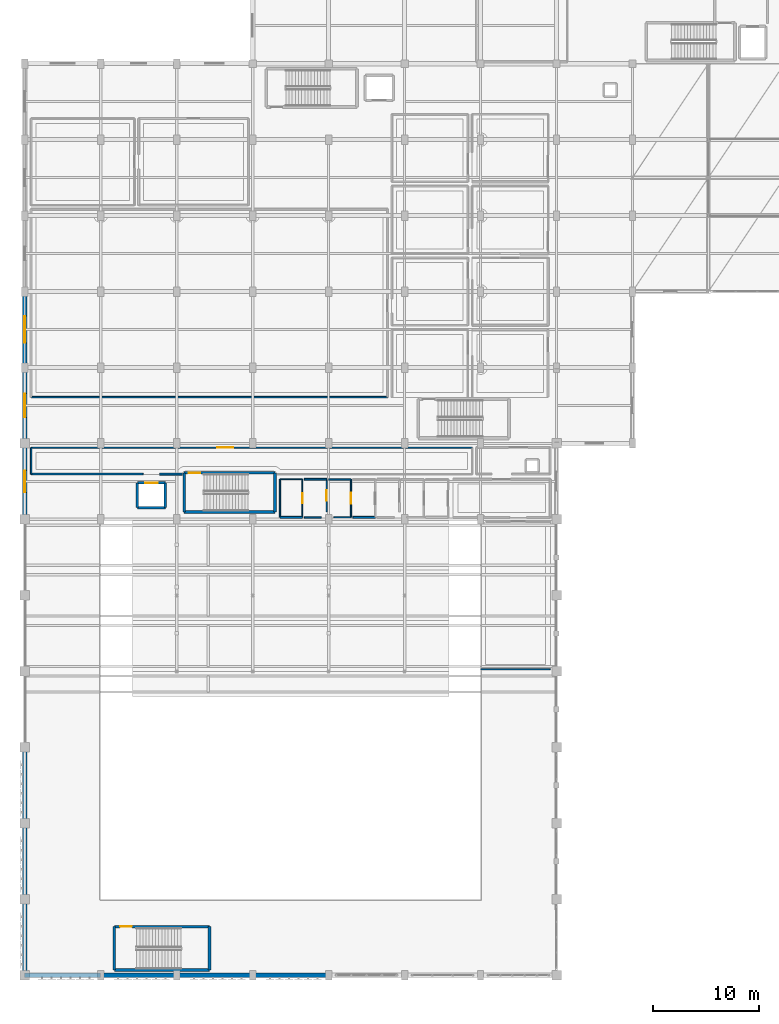
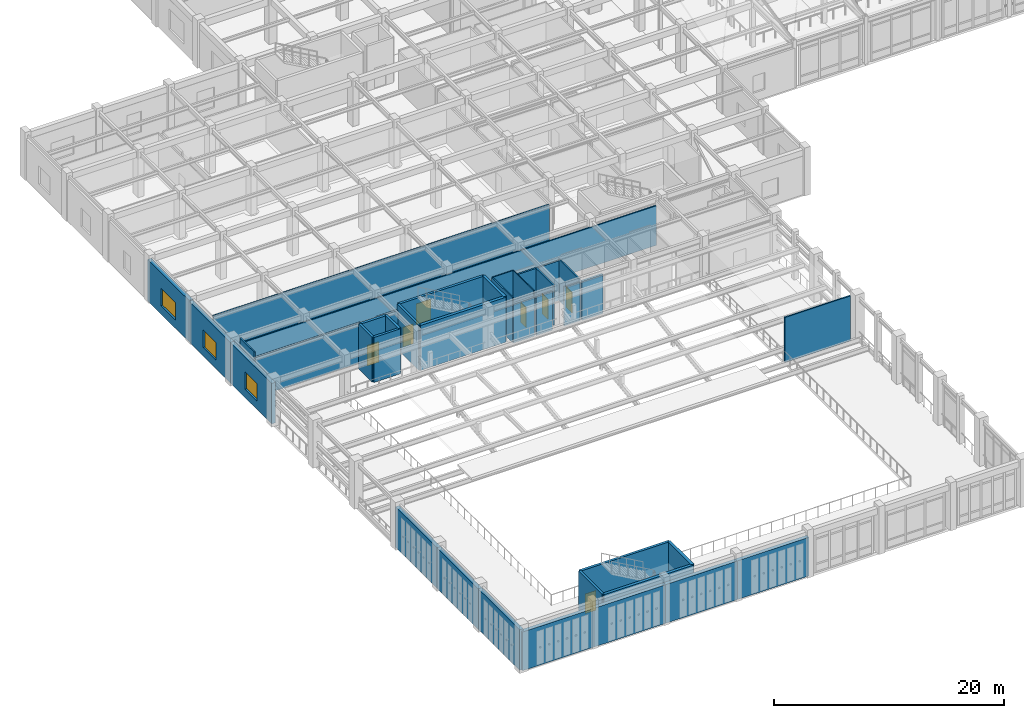
# One storey, part 86 of 117: 39 walls, 7 doors, 3 windows, 10 openings.
"""IFC4 building model written with IfcOpenShell, lengths in metres."""

from ifc_helpers import new_model, si_unit, direction, frame, frame_2d, origin, place, context, subcontext, project, spatial, rectangle, extrude, material, layer, layer_set, type_object, element, fill, save


model = new_model("IFC4")

# Units and contexts
model_context = context("Model", 3, precision=1e-05, world=origin(), true_north=direction((0.0, 1.0)))
body_context = subcontext(model_context, "Body", "Model", "MODEL_VIEW")
ifc_project = project(units=[si_unit("LENGTHUNIT", "METRE"), si_unit("AREAUNIT", "SQUARE_METRE"), si_unit("VOLUMEUNIT", "CUBIC_METRE"), si_unit("PLANEANGLEUNIT", "RADIAN"), si_unit("MASSUNIT", "GRAM", prefix="KILO")], contexts=[model_context])

# Site, building, storey
site_placement = place(None, origin())
site = spatial("IfcSite", under=ifc_project, at=site_placement, CompositionType="ELEMENT")
building_placement = place(site_placement, origin())
building = spatial("IfcBuilding", under=site, at=building_placement, Name="Carrowvane Square Congress Hotel", CompositionType="ELEMENT")
storey_placement = place(building_placement, frame((0.0, 0.0, 5.39990234375)))
storey = spatial("IfcBuildingStorey", under=building, at=storey_placement, Name="L01", CompositionType="ELEMENT", Elevation=5.39990234375)

# Walls
ifc_material_1 = material(Name="Portland limestone cladding", Category="masonry")
ifc_layer_1 = layer(ifc_material_1, 0.3798828125)
ifc_layer_set_1 = layer_set([ifc_layer_1], Name="Portland limestone cladding")
wall_type_1 = type_object("IfcWallType", Name="WL-EXT-LS380", PredefinedType="STANDARD", material=ifc_layer_set_1)
wall_1_placement = place(storey_placement, frame((11.60009765625, 5.39990234375, 0.0), z_axis=(0.0, 0.0, 1.0), x_axis=(0.0, 1.0, 0.0)))
element("IfcWall", 1, at=wall_1_placement, inside=storey, type_object=wall_type_1, Name="L01 exterior facade wall 201", PredefinedType="STANDARD", context=body_context, shape_type="SweptSolid", body=[
    extrude(rectangle(XDim=7.2001953125, YDim=0.3798828125, at=frame_2d((3.60009765625, 0.0))), origin(), (0.0, 0.0, 1.0), 4.30517578125),
])
for number, where, z_axis, x_axis, name in (
    (2, (11.60009765625, 12.60009765625, 0.0), (0.0, 0.0, 1.0), (0.0, 1.0, 0.0), "L01 exterior facade wall 202"),
    (3, (11.60009765625, 19.800048828125, 0.0), (0.0, 0.0, 1.0), (0.0, 1.0, 0.0), "L01 exterior facade wall 203"),
):
    element("IfcWall", number, at=place(storey_placement, frame(where, z_axis=z_axis, x_axis=x_axis)), inside=storey, type_object=wall_type_1, Name=name, PredefinedType="STANDARD", context=body_context, shape_type="SweptSolid", body=[
        extrude(rectangle(XDim=7.199951171875, YDim=0.3798828125, at=frame_2d((3.60009765625, 0.0))), origin(), (0.0, 0.0, 1.0), 4.30517578125),
    ])

# Wall, opening, window
wall_2_placement = place(storey_placement, frame((11.60009765625, 48.60009765625, 0.0), z_axis=(0.0, 0.0, 1.0), x_axis=(0.0, 1.0, 0.0)))
wall_2 = element("IfcWall", 4, at=wall_2_placement, inside=storey, type_object=wall_type_1, Name="L01 exterior facade wall 204", PredefinedType="STANDARD", context=body_context, shape_type="SweptSolid", body=[
    extrude(rectangle(XDim=7.199951171875, YDim=0.3798828125, at=frame_2d((3.60009765625, 0.0))), origin(), (0.0, 0.0, 1.0), 4.30517578125),
])
opening_1_placement = place(wall_2_placement, frame((2.574951171875, 0.0, 0.89990234375)))
opening_1 = element("IfcOpeningElement", 5, at=opening_1_placement, cuts=wall_2, Name="Opening W-26", PredefinedType="OPENING", context=body_context, shape_type="SweptSolid", body=[
    extrude(rectangle(XDim=2.050048828125, YDim=1.85009765625, at=frame_2d((1.02490234375, 0.925048828125))), frame((0.0, 0.199951171875, 0.0), z_axis=(0.0, -1.0, 0.0), x_axis=(1.0, 0.0, 0.0)), (0.0, 0.0, 1.0), 0.39990234375),
])
ifc_material_2 = material(Name="Double-glazed low-E glass", Category="glass")
window_type_1 = type_object("IfcWindowType", Name="WIN-26", PartitioningType="SINGLE_PANEL", PredefinedType="WINDOW", material=ifc_material_2)
window_1_placement = place(opening_1_placement, origin())
window_1 = element("IfcWindow", 6, at=window_1_placement, inside=storey, type_object=window_type_1, Name="L01 facade window 31", OverallHeight=1.85009765625, OverallWidth=2.050048828125, PartitioningType="SINGLE_PANEL", PredefinedType="WINDOW", context=body_context, shape_type="SweptSolid", body=[
    extrude(rectangle(XDim=2.050048828125, YDim=1.85009765625, at=frame_2d((1.02490234375, 0.925048828125))), frame((0.0, 0.030029296875, 0.0), z_axis=(0.0, -1.0, 0.0), x_axis=(1.0, 0.0, 0.0)), (0.0, 0.0, 1.0), 0.06005859375),
])
fill(opening_1, window_1)

wall_3_placement = place(storey_placement, frame((11.60009765625, 55.800048828125, 0.0), z_axis=(0.0, 0.0, 1.0), x_axis=(0.0, 1.0, 0.0)))
wall_3 = element("IfcWall", 7, at=wall_3_placement, inside=storey, type_object=wall_type_1, Name="L01 exterior facade wall 205", PredefinedType="STANDARD", context=body_context, shape_type="SweptSolid", body=[
    extrude(rectangle(XDim=7.199951171875, YDim=0.3798828125, at=frame_2d((3.60009765625, 0.0))), origin(), (0.0, 0.0, 1.0), 4.30517578125),
])
opening_2_placement = place(wall_3_placement, frame((2.47509765625, 0.0, 0.89990234375)))
opening_2 = element("IfcOpeningElement", 8, at=opening_2_placement, cuts=wall_3, Name="Opening W-27", PredefinedType="OPENING", context=body_context, shape_type="SweptSolid", body=[
    extrude(rectangle(XDim=2.25, YDim=1.85009765625, at=frame_2d((1.125, 0.925048828125))), frame((0.0, 0.199951171875, 0.0), z_axis=(0.0, -1.0, 0.0), x_axis=(1.0, 0.0, 0.0)), (0.0, 0.0, 1.0), 0.39990234375),
])
ifc_material_3 = material(Name="Double-glazed low-E glass", Category="glass")
window_type_2 = type_object("IfcWindowType", Name="WIN-27", PartitioningType="SINGLE_PANEL", PredefinedType="WINDOW", material=ifc_material_3)
window_2_placement = place(opening_2_placement, origin())
window_2 = element("IfcWindow", 9, at=window_2_placement, inside=storey, type_object=window_type_2, Name="L01 facade window 32", OverallHeight=1.85009765625, OverallWidth=2.25, PartitioningType="SINGLE_PANEL", PredefinedType="WINDOW", context=body_context, shape_type="SweptSolid", body=[
    extrude(rectangle(XDim=2.25, YDim=1.85009765625, at=frame_2d((1.125, 0.925048828125))), frame((0.0, 0.030029296875, 0.0), z_axis=(0.0, -1.0, 0.0), x_axis=(1.0, 0.0, 0.0)), (0.0, 0.0, 1.0), 0.06005859375),
])
fill(opening_2, window_2)

wall_4_placement = place(storey_placement, frame((11.60009765625, 63.0, 0.0), z_axis=(0.0, 0.0, 1.0), x_axis=(0.0, 1.0, 0.0)))
wall_4 = element("IfcWall", 10, at=wall_4_placement, inside=storey, type_object=wall_type_1, Name="L01 exterior facade wall 206", PredefinedType="STANDARD", context=body_context, shape_type="SweptSolid", body=[
    extrude(rectangle(XDim=7.199951171875, YDim=0.3798828125, at=frame_2d((3.60009765625, 0.0))), origin(), (0.0, 0.0, 1.0), 4.406982421875),
])
opening_3_placement = place(wall_4_placement, frame((2.324951171875, 0.0, 0.89990234375)))
opening_3 = element("IfcOpeningElement", 11, at=opening_3_placement, cuts=wall_4, Name="Opening W-28", PredefinedType="OPENING", context=body_context, shape_type="SweptSolid", body=[
    extrude(rectangle(XDim=2.550048828125, YDim=1.85009765625, at=frame_2d((1.27490234375, 0.925048828125))), frame((0.0, 0.199951171875, 0.0), z_axis=(0.0, -1.0, 0.0), x_axis=(1.0, 0.0, 0.0)), (0.0, 0.0, 1.0), 0.39990234375),
])
ifc_material_4 = material(Name="Double-glazed low-E glass", Category="glass")
window_type_3 = type_object("IfcWindowType", Name="WIN-28", PartitioningType="SINGLE_PANEL", PredefinedType="WINDOW", material=ifc_material_4)
window_3_placement = place(opening_3_placement, origin())
window_3 = element("IfcWindow", 12, at=window_3_placement, inside=storey, type_object=window_type_3, Name="L01 facade window 33", OverallHeight=1.85009765625, OverallWidth=2.550048828125, PartitioningType="SINGLE_PANEL", PredefinedType="WINDOW", context=body_context, shape_type="SweptSolid", body=[
    extrude(rectangle(XDim=2.550048828125, YDim=1.85009765625, at=frame_2d((1.27490234375, 0.925048828125))), frame((0.0, 0.030029296875, 0.0), z_axis=(0.0, -1.0, 0.0), x_axis=(1.0, 0.0, 0.0)), (0.0, 0.0, 1.0), 0.06005859375),
])
fill(opening_3, window_3)

# Walls
for number, where, z_axis, x_axis, name in (
    (13, (40.39990234375, 5.39990234375, 0.0), (0.0, 0.0, 1.0), (-1.0, 0.0, 0.0), "L01 exterior facade wall 256"),
    (14, (33.199951171875, 5.39990234375, 0.0), (0.0, 0.0, 1.0), (-1.0, 0.0, 0.0), "L01 exterior facade wall 257"),
    (15, (26.0, 5.39990234375, 0.0), (0.0, 0.0, 1.0), (-1.0, 0.0, 0.0), "L01 exterior facade wall 258"),
    (16, (18.800048828125, 5.39990234375, 0.0), (0.0, 0.0, 1.0), (-1.0, 0.0, 0.0), "L01 exterior facade wall 259"),
):
    element("IfcWall", number, at=place(storey_placement, frame(where, z_axis=z_axis, x_axis=x_axis)), inside=storey, type_object=wall_type_1, Name=name, PredefinedType="STANDARD", context=body_context, shape_type="SweptSolid", body=[
        extrude(rectangle(XDim=7.199951171875, YDim=0.3798828125, at=frame_2d((3.60009765625, 0.0))), origin(), (0.0, 0.0, 1.0), 4.114990234375),
    ])

# Wall, opening, door
ifc_material_5 = material(Name="Acoustic gypsum board", Category="gypsum")
ifc_layer_2 = layer(ifc_material_5, 0.155029296875)
ifc_layer_set_2 = layer_set([ifc_layer_2], Name="Acoustic gypsum board")
wall_type_2 = type_object("IfcWallType", Name="WL-FIR-155", PredefinedType="PARTITIONING", material=ifc_layer_set_2)
wall_5_placement = place(storey_placement, frame((40.219970703125, 52.39990234375, 0.0), z_axis=(0.0, 0.0, 1.0), x_axis=(0.0, -1.0, 0.0)))
wall_5 = element("IfcWall", 17, at=wall_5_placement, inside=storey, type_object=wall_type_2, Name="L01 Interpretation Booth 2 partition", PredefinedType="PARTITIONING", context=body_context, shape_type="SweptSolid", body=[
    extrude(rectangle(XDim=3.08984375, YDim=0.155029296875, at=frame_2d((1.544921875, 0.0))), origin(), (0.0, 0.0, 1.0), 4.228515625),
])
opening_4_placement = place(wall_5_placement, frame((1.0400390625, 0.0, 0.0)))
opening_4 = element("IfcOpeningElement", 18, at=opening_4_placement, cuts=wall_5, Name="Opening ID-20", PredefinedType="OPENING", context=body_context, shape_type="SweptSolid", body=[
    extrude(rectangle(XDim=1.010009765625, YDim=2.159912109375, at=frame_2d((0.5048828125, 1.080078125))), frame((0.0, 0.08740234375, 0.0), z_axis=(0.0, -1.0, 0.0), x_axis=(1.0, 0.0, 0.0)), (0.0, 0.0, 1.0), 0.175048828125),
])
ifc_material_6 = material(Name="European oak timber", Category="wood")
door_type_1 = type_object("IfcDoorType", Name="DR-INT-1010x2160", OperationType="NOTDEFINED", PredefinedType="DOOR", material=ifc_material_6)
door_1_placement = place(opening_4_placement, origin())
door_1 = element("IfcDoor", 19, at=door_1_placement, inside=storey, type_object=door_type_1, Name="L01 Interpretation Booth 2 entrance door", OperationType="SINGLE_SWING_LEFT", OverallHeight=2.159912109375, OverallWidth=1.010009765625, PredefinedType="DOOR", context=body_context, shape_type="SweptSolid", body=[
    extrude(rectangle(XDim=1.010009765625, YDim=2.159912109375, at=frame_2d((0.5048828125, 1.080078125))), frame((0.0, 0.02490234375, 0.0), z_axis=(0.0, -1.0, 0.0), x_axis=(1.0, 0.0, 0.0)), (0.0, 0.0, 1.0), 0.050048828125),
])
fill(opening_4, door_1)

# Walls
ifc_material_7 = material(Name="Acoustic gypsum board", Category="gypsum")
ifc_layer_3 = layer(ifc_material_7, 0.169921875)
ifc_layer_set_3 = layer_set([ifc_layer_3], Name="Acoustic gypsum board")
wall_type_3 = type_object("IfcWallType", Name="WL-FIR-170", PredefinedType="PARTITIONING", material=ifc_layer_set_3)
wall_6_placement = place(storey_placement, frame((38.10009765625, 52.39990234375, 0.0), z_axis=(0.0, 0.0, 1.0), x_axis=(1.0, 0.0, 0.0)))
element("IfcWall", 20, at=wall_6_placement, inside=storey, type_object=wall_type_3, Name="L01 Interpretation Booth 2 partition", PredefinedType="PARTITIONING", context=body_context, shape_type="SweptSolid", body=[
    extrude(rectangle(XDim=2.119873046875, YDim=0.169921875, at=frame_2d((1.06005859375, 0.0))), origin(), (0.0, 0.0, 1.0), 4.228515625),
])
wall_7_placement = place(storey_placement, frame((22.820068359375, 52.89990234375, 0.0), z_axis=(0.0, 0.0, 1.0), x_axis=(-1.0, 0.0, 0.0)))
element("IfcWall", 21, at=wall_7_placement, inside=storey, type_object=wall_type_3, Name="L01 Upper Congress Circle Foyer partition", PredefinedType="PARTITIONING", context=body_context, shape_type="SweptSolid", body=[
    extrude(rectangle(XDim=10.6201171875, YDim=0.169921875, at=frame_2d((5.31005859375, 0.0))), origin(), (0.0, 0.0, 1.0), 4.228515625),
])
ifc_material_8 = material(Name="Acoustic gypsum board", Category="gypsum")
ifc_layer_4 = layer(ifc_material_8, 0.18505859375)
ifc_layer_set_4 = layer_set([ifc_layer_4], Name="Acoustic gypsum board")
wall_type_4 = type_object("IfcWallType", Name="WL-FIR-185", PredefinedType="PARTITIONING", material=ifc_layer_set_4)
wall_8_placement = place(storey_placement, frame((37.919921875, 48.800048828125, 0.0), z_axis=(0.0, 0.0, 1.0), x_axis=(-1.0, 0.0, 0.0)))
element("IfcWall", 22, at=wall_8_placement, inside=storey, type_object=wall_type_4, Name="L01 Interpretation Booth 1 partition", PredefinedType="PARTITIONING", context=body_context, shape_type="SweptSolid", body=[
    extrude(rectangle(XDim=2.119873046875, YDim=0.18505859375, at=frame_2d((1.06005859375, 0.0))), origin(), (0.0, 0.0, 1.0), 4.15283203125),
])
wall_9_placement = place(storey_placement, frame((44.820068359375, 48.800048828125, 0.0), z_axis=(0.0, 0.0, 1.0), x_axis=(-1.0, 0.0, 0.0)))
element("IfcWall", 23, at=wall_9_placement, inside=storey, type_object=wall_type_4, Name="L01 Interpretation Booth 4 partition", PredefinedType="PARTITIONING", context=body_context, shape_type="SweptSolid", body=[
    extrude(rectangle(XDim=2.1201171875, YDim=0.18505859375, at=frame_2d((1.06005859375, 0.0))), origin(), (0.0, 0.0, 1.0), 4.15283203125),
])
wall_10_placement = place(storey_placement, frame((26.530029296875, 52.89990234375, 0.0), z_axis=(0.0, 0.0, 1.0), x_axis=(-1.0, 0.0, 0.0)))
element("IfcWall", 24, at=wall_10_placement, inside=storey, type_object=wall_type_4, Name="L01 Upper Congress Circle Foyer partition", PredefinedType="PARTITIONING", context=body_context, shape_type="SweptSolid", body=[
    extrude(rectangle(XDim=2.150146484375, YDim=0.18505859375, at=frame_2d((1.0751953125, 0.0))), origin(), (0.0, 0.0, 1.0), 4.228515625),
])

# Wall, opening, door
ifc_material_9 = material(Name="Acoustic gypsum board", Category="gypsum")
ifc_layer_5 = layer(ifc_material_9, 0.097900390625)
ifc_layer_set_5 = layer_set([ifc_layer_5], Name="Acoustic gypsum board")
wall_type_5 = type_object("IfcWallType", Name="WL-PRT-098", PredefinedType="PARTITIONING", material=ifc_layer_set_5)
wall_11_placement = place(storey_placement, frame((37.919921875, 52.39990234375, 0.0), z_axis=(0.0, 0.0, 1.0), x_axis=(0.0, -1.0, 0.0)))
wall_11 = element("IfcWall", 25, at=wall_11_placement, inside=storey, type_object=wall_type_5, Name="L01 Interpretation Booth 1 partition", PredefinedType="PARTITIONING", context=body_context, shape_type="SweptSolid", body=[
    extrude(rectangle(XDim=3.599853515625, YDim=0.097900390625, at=frame_2d((1.7998046875, 0.0))), origin(), (0.0, 0.0, 1.0), 4.780029296875),
])
opening_5_placement = place(wall_11_placement, frame((1.31494140625, 0.0, 0.0)))
opening_5 = element("IfcOpeningElement", 26, at=opening_5_placement, cuts=wall_11, Name="Opening ID-19", PredefinedType="OPENING", context=body_context, shape_type="SweptSolid", body=[
    extrude(rectangle(XDim=0.969970703125, YDim=2.159912109375, at=frame_2d((0.48486328125, 1.080078125))), frame((0.0, 0.058837890625, 0.0), z_axis=(0.0, -1.0, 0.0), x_axis=(1.0, 0.0, 0.0)), (0.0, 0.0, 1.0), 0.117919921875),
])
ifc_material_10 = material(Name="European oak timber", Category="wood")
door_type_2 = type_object("IfcDoorType", Name="DR-INT-0970x2160", OperationType="NOTDEFINED", PredefinedType="DOOR", material=ifc_material_10)
door_2_placement = place(opening_5_placement, origin())
door_2 = element("IfcDoor", 27, at=door_2_placement, inside=storey, type_object=door_type_2, Name="L01 Interpretation Booth 1 entrance door", OperationType="SINGLE_SWING_RIGHT", OverallHeight=2.159912109375, OverallWidth=0.969970703125, PredefinedType="DOOR", context=body_context, shape_type="SweptSolid", body=[
    extrude(rectangle(XDim=0.969970703125, YDim=2.159912109375, at=frame_2d((0.48486328125, 1.080078125))), frame((0.0, 0.02490234375, 0.0), z_axis=(0.0, -1.0, 0.0), x_axis=(1.0, 0.0, 0.0)), (0.0, 0.0, 1.0), 0.050048828125),
])
fill(opening_5, door_2)

# Walls
ifc_material_11 = material(Name="Acoustic gypsum board", Category="gypsum")
ifc_layer_6 = layer(ifc_material_11, 0.10791015625)
ifc_layer_set_6 = layer_set([ifc_layer_6], Name="Acoustic gypsum board")
wall_type_6 = type_object("IfcWallType", Name="WL-PRT-108", PredefinedType="PARTITIONING", material=ifc_layer_set_6)
wall_12_placement = place(storey_placement, frame((35.800048828125, 52.39990234375, 0.0), z_axis=(0.0, 0.0, 1.0), x_axis=(1.0, 0.0, 0.0)))
element("IfcWall", 28, at=wall_12_placement, inside=storey, type_object=wall_type_6, Name="L01 Interpretation Booth 1 partition", PredefinedType="PARTITIONING", context=body_context, shape_type="SweptSolid", body=[
    extrude(rectangle(XDim=2.119873046875, YDim=0.10791015625, at=frame_2d((1.06005859375, 0.0))), origin(), (0.0, 0.0, 1.0), 4.780029296875),
])
ifc_material_12 = material(Name="Acoustic gypsum board", Category="gypsum")
ifc_layer_7 = layer(ifc_material_12, 0.117919921875)
ifc_layer_set_7 = layer_set([ifc_layer_7], Name="Acoustic gypsum board")
wall_type_7 = type_object("IfcWallType", Name="WL-PRT-118", PredefinedType="PARTITIONING", material=ifc_layer_set_7)
wall_13_placement = place(storey_placement, frame((35.800048828125, 48.800048828125, 0.0), z_axis=(0.0, 0.0, 1.0), x_axis=(0.0, 1.0, 0.0)))
element("IfcWall", 29, at=wall_13_placement, inside=storey, type_object=wall_type_7, Name="L01 Interpretation Booth 1 partition", PredefinedType="PARTITIONING", context=body_context, shape_type="SweptSolid", body=[
    extrude(rectangle(XDim=3.599853515625, YDim=0.117919921875, at=frame_2d((1.7998046875, 0.0))), origin(), (0.0, 0.0, 1.0), 4.780029296875),
])
wall_14_placement = place(storey_placement, frame((42.52001953125, 48.800048828125, 0.0), z_axis=(0.0, 0.0, 1.0), x_axis=(-1.0, 0.0, 0.0)))
element("IfcWall", 30, at=wall_14_placement, inside=storey, type_object=wall_type_7, Name="L01 Interpretation Booth 3 partition", PredefinedType="PARTITIONING", context=body_context, shape_type="SweptSolid", body=[
    extrude(rectangle(XDim=1.610107421875, YDim=0.117919921875, at=frame_2d((0.80517578125, 0.0))), origin(), (0.0, 0.0, 1.0), 4.15283203125),
])

# Wall, opening, door
wall_15_placement = place(storey_placement, frame((12.199951171875, 55.39990234375, 0.0), z_axis=(0.0, 0.0, 1.0), x_axis=(1.0, 0.0, 0.0)))
wall_15 = element("IfcWall", 31, at=wall_15_placement, inside=storey, type_object=wall_type_7, Name="L01 Upper Congress Circle Foyer partition", PredefinedType="PARTITIONING", context=body_context, shape_type="SweptSolid", body=[
    extrude(rectangle(XDim=41.800048828125, YDim=0.117919921875, at=frame_2d((20.89990234375, 0.0))), origin(), (0.0, 0.0, 1.0), 4.228515625),
])
opening_6_placement = place(wall_15_placement, frame((17.64990234375, 0.0, 0.0)))
opening_6 = element("IfcOpeningElement", 32, at=opening_6_placement, cuts=wall_15, Name="Opening ID-11", PredefinedType="OPENING", context=body_context, shape_type="SweptSolid", body=[
    extrude(rectangle(XDim=1.5, YDim=2.199951171875, at=frame_2d((0.75, 1.10009765625))), frame((0.0, 0.06884765625, 0.0), z_axis=(0.0, -1.0, 0.0), x_axis=(1.0, 0.0, 0.0)), (0.0, 0.0, 1.0), 0.137939453125),
])
ifc_material_13 = material(Name="European oak timber", Category="wood")
door_type_3 = type_object("IfcDoorType", Name="DR-INT-1500x2200", OperationType="DOUBLE_DOOR_SINGLE_SWING", PredefinedType="DOOR", material=ifc_material_13)
door_3_placement = place(opening_6_placement, origin())
door_3 = element("IfcDoor", 33, at=door_3_placement, inside=storey, type_object=door_type_3, Name="L01 Upper Congress Circle Foyer entrance door", OperationType="DOUBLE_DOOR_SINGLE_SWING", OverallHeight=2.199951171875, OverallWidth=1.5, PredefinedType="DOOR", context=body_context, shape_type="SweptSolid", body=[
    extrude(rectangle(XDim=1.5, YDim=2.199951171875, at=frame_2d((0.75, 1.10009765625))), frame((0.0, 0.02490234375, 0.0), z_axis=(0.0, -1.0, 0.0), x_axis=(1.0, 0.0, 0.0)), (0.0, 0.0, 1.0), 0.050048828125),
])
fill(opening_6, door_3)

ifc_material_14 = material(Name="Acoustic gypsum board", Category="gypsum")
ifc_layer_8 = layer(ifc_material_14, 0.1279296875)
ifc_layer_set_8 = layer_set([ifc_layer_8], Name="Acoustic gypsum board")
wall_type_8 = type_object("IfcWallType", Name="WL-PRT-128", PredefinedType="PARTITIONING", material=ifc_layer_set_8)
wall_16_placement = place(storey_placement, frame((42.52001953125, 52.39990234375, 0.0), z_axis=(0.0, 0.0, 1.0), x_axis=(0.0, -1.0, 0.0)))
wall_16 = element("IfcWall", 34, at=wall_16_placement, inside=storey, type_object=wall_type_8, Name="L01 Interpretation Booth 3 partition", PredefinedType="PARTITIONING", context=body_context, shape_type="SweptSolid", body=[
    extrude(rectangle(XDim=3.599853515625, YDim=0.1279296875, at=frame_2d((1.7998046875, 0.0))), origin(), (0.0, 0.0, 1.0), 4.406982421875),
])
opening_7_placement = place(wall_16_placement, frame((1.27490234375, 0.0, 0.0)))
opening_7 = element("IfcOpeningElement", 35, at=opening_7_placement, cuts=wall_16, Name="Opening ID-21", PredefinedType="OPENING", context=body_context, shape_type="SweptSolid", body=[
    extrude(rectangle(XDim=1.050048828125, YDim=2.179931640625, at=frame_2d((0.52490234375, 1.08984375))), frame((0.0, 0.073974609375, 0.0), z_axis=(0.0, -1.0, 0.0), x_axis=(1.0, 0.0, 0.0)), (0.0, 0.0, 1.0), 0.14794921875),
])
ifc_material_15 = material(Name="European oak timber", Category="wood")
door_type_4 = type_object("IfcDoorType", Name="DR-INT-1050x2180", OperationType="NOTDEFINED", PredefinedType="DOOR", material=ifc_material_15)
door_4_placement = place(opening_7_placement, origin())
door_4 = element("IfcDoor", 36, at=door_4_placement, inside=storey, type_object=door_type_4, Name="L01 Interpretation Booth 3 entrance door", OperationType="SINGLE_SWING_RIGHT", OverallHeight=2.179931640625, OverallWidth=1.050048828125, PredefinedType="DOOR", context=body_context, shape_type="SweptSolid", body=[
    extrude(rectangle(XDim=1.050048828125, YDim=2.179931640625, at=frame_2d((0.52490234375, 1.08984375))), frame((0.0, 0.02490234375, 0.0), z_axis=(0.0, -1.0, 0.0), x_axis=(1.0, 0.0, 0.0)), (0.0, 0.0, 1.0), 0.050048828125),
])
fill(opening_7, door_4)

# Walls
wall_17_placement = place(storey_placement, frame((12.199951171875, 52.89990234375, 0.0), z_axis=(0.0, 0.0, 1.0), x_axis=(0.0, 1.0, 0.0)))
element("IfcWall", 37, at=wall_17_placement, inside=storey, type_object=wall_type_8, Name="L01 Upper Congress Circle Foyer partition", PredefinedType="PARTITIONING", context=body_context, shape_type="SweptSolid", body=[
    extrude(rectangle(XDim=2.5, YDim=0.1279296875, at=frame_2d((1.25, 0.0))), origin(), (0.0, 0.0, 1.0), 4.780029296875),
])
ifc_material_16 = material(Name="Acoustic gypsum board", Category="gypsum")
ifc_layer_9 = layer(ifc_material_16, 0.137939453125)
ifc_layer_set_9 = layer_set([ifc_layer_9], Name="Acoustic gypsum board")
wall_type_9 = type_object("IfcWallType", Name="WL-PRT-138", PredefinedType="PARTITIONING", material=ifc_layer_set_9)
wall_18_placement = place(storey_placement, frame((61.39990234375, 34.39990234375, 0.0), z_axis=(0.0, 0.0, 1.0), x_axis=(-1.0, 0.0, 0.0)))
element("IfcWall", 38, at=wall_18_placement, inside=storey, type_object=wall_type_9, Name="L01 Plenary Congress Upper Circle Seating partition", PredefinedType="PARTITIONING", context=body_context, shape_type="SweptSolid", body=[
    extrude(rectangle(XDim=6.58984375, YDim=0.137939453125, at=frame_2d((3.294921875, 0.0))), origin(), (0.0, 0.0, 1.0), 4.780029296875),
])
wall_19_placement = place(storey_placement, frame((40.39990234375, 52.39990234375, 0.0), z_axis=(0.0, 0.0, 1.0), x_axis=(1.0, 0.0, 0.0)))
element("IfcWall", 39, at=wall_19_placement, inside=storey, type_object=wall_type_9, Name="L01 Interpretation Booth 3 partition", PredefinedType="PARTITIONING", context=body_context, shape_type="SweptSolid", body=[
    extrude(rectangle(XDim=2.1201171875, YDim=0.137939453125, at=frame_2d((1.06005859375, 0.0))), origin(), (0.0, 0.0, 1.0), 4.228515625),
])
wall_20_placement = place(storey_placement, frame((46.0, 60.199951171875, 0.0), z_axis=(0.0, 0.0, 1.0), x_axis=(-1.0, 0.0, 0.0)))
element("IfcWall", 40, at=wall_20_placement, inside=storey, type_object=wall_type_9, Name="L01 Thermal Spa Pool and Vitality Hall partition", PredefinedType="PARTITIONING", context=body_context, shape_type="SweptSolid", body=[
    extrude(rectangle(XDim=33.800048828125, YDim=0.137939453125, at=frame_2d((16.89990234375, 0.0))), origin(), (0.0, 0.0, 1.0), 4.228515625),
])
ifc_material_17 = material(Name="Acoustic gypsum board", Category="gypsum")
ifc_layer_10 = layer(ifc_material_17, 0.14794921875)
ifc_layer_set_10 = layer_set([ifc_layer_10], Name="Acoustic gypsum board")
wall_type_10 = type_object("IfcWallType", Name="WL-PRT-148", PredefinedType="PARTITIONING", material=ifc_layer_set_10)
wall_21_placement = place(storey_placement, frame((39.7099609375, 48.800048828125, 0.0), z_axis=(0.0, 0.0, 1.0), x_axis=(-1.0, 0.0, 0.0)))
element("IfcWall", 41, at=wall_21_placement, inside=storey, type_object=wall_type_10, Name="L01 Interpretation Booth 2 partition", PredefinedType="PARTITIONING", context=body_context, shape_type="SweptSolid", body=[
    extrude(rectangle(XDim=1.60986328125, YDim=0.14794921875, at=frame_2d((0.804931640625, 0.0))), origin(), (0.0, 0.0, 1.0), 4.15283203125),
])
ifc_material_18 = material(Name="Concrete C40/50", Category="concrete")
ifc_layer_11 = layer(ifc_material_18, 0.22509765625)
ifc_layer_set_11 = layer_set([ifc_layer_11], Name="Concrete C40/50")
wall_type_11 = type_object("IfcWallType", Name="WL-SHR-225", PredefinedType="SHEAR", material=ifc_layer_set_11)
wall_22_placement = place(storey_placement, frame((26.699951171875, 53.02001953125, 0.0), z_axis=(0.0, 0.0, 1.0), x_axis=(0.0, -1.0, 0.0)))
element("IfcWall", 42, at=wall_22_placement, inside=storey, type_object=wall_type_11, Name="L01 ST6 core wall west", PredefinedType="SHEAR", context=body_context, shape_type="SweptSolid", body=[
    extrude(rectangle(XDim=3.719970703125, YDim=0.22509765625, at=frame_2d((1.85986328125, 0.0))), origin(), (0.0, 0.0, 1.0), 4.780029296875),
])
wall_23_placement = place(storey_placement, frame((20.10009765625, 10.0, 0.0), z_axis=(0.0, 0.0, 1.0), x_axis=(0.0, -1.0, 0.0)))
element("IfcWall", 43, at=wall_23_placement, inside=storey, type_object=wall_type_11, Name="L01 ST9 core wall west", PredefinedType="SHEAR", context=body_context, shape_type="SweptSolid", body=[
    extrude(rectangle(XDim=4.10009765625, YDim=0.22509765625, at=frame_2d((2.050048828125, 0.0))), origin(), (0.0, 0.0, 1.0), 4.780029296875),
])

# Wall, opening, door
ifc_material_19 = material(Name="Concrete C40/50", Category="concrete")
ifc_layer_12 = layer(ifc_material_19, 0.25)
ifc_layer_set_12 = layer_set([ifc_layer_12], Name="Concrete C40/50")
wall_type_12 = type_object("IfcWallType", Name="WL-SHR-250", PredefinedType="SHEAR", material=ifc_layer_set_12)
wall_24_placement = place(storey_placement, frame((35.300048828125, 53.02001953125, 0.0), z_axis=(0.0, 0.0, 1.0), x_axis=(-1.0, 0.0, 0.0)))
wall_24 = element("IfcWall", 44, at=wall_24_placement, inside=storey, type_object=wall_type_12, Name="L01 ST6 core wall north", PredefinedType="SHEAR", context=body_context, shape_type="SweptSolid", body=[
    extrude(rectangle(XDim=8.60009765625, YDim=0.25, at=frame_2d((4.300048828125, 0.0))), origin(), (0.0, 0.0, 1.0), 4.780029296875),
])
opening_8_placement = place(wall_24_placement, frame((7.06005859375, 0.0, 0.0)))
opening_8 = element("IfcOpeningElement", 45, at=opening_8_placement, cuts=wall_24, Name="Opening FD-01", PredefinedType="OPENING", context=body_context, shape_type="SweptSolid", body=[
    extrude(rectangle(XDim=1.10009765625, YDim=2.10009765625, at=frame_2d((0.550048828125, 1.050048828125))), frame((0.0, 0.135009765625, 0.0), z_axis=(0.0, -1.0, 0.0), x_axis=(1.0, 0.0, 0.0)), (0.0, 0.0, 1.0), 0.27001953125),
])
ifc_material_20 = material(Name="European oak timber", Category="wood")
door_type_5 = type_object("IfcDoorType", Name="DR-FD60-1100x2100", OperationType="NOTDEFINED", PredefinedType="DOOR", material=ifc_material_20)
door_5_placement = place(opening_8_placement, origin())
door_5 = element("IfcDoor", 46, at=door_5_placement, inside=storey, type_object=door_type_5, Name="L01 ST6 fire door", OperationType="SINGLE_SWING_RIGHT", OverallHeight=2.10009765625, OverallWidth=1.10009765625, PredefinedType="DOOR", context=body_context, shape_type="SweptSolid", body=[
    extrude(rectangle(XDim=1.10009765625, YDim=2.10009765625, at=frame_2d((0.550048828125, 1.050048828125))), frame((0.0, 0.02490234375, 0.0), z_axis=(0.0, -1.0, 0.0), x_axis=(1.0, 0.0, 0.0)), (0.0, 0.0, 1.0), 0.050048828125),
])
fill(opening_8, door_5)

wall_25_placement = place(storey_placement, frame((29.10009765625, 10.0, 0.0), z_axis=(0.0, 0.0, 1.0), x_axis=(-1.0, 0.0, 0.0)))
wall_25 = element("IfcWall", 47, at=wall_25_placement, inside=storey, type_object=wall_type_12, Name="L01 ST9 core wall north", PredefinedType="SHEAR", context=body_context, shape_type="SweptSolid", body=[
    extrude(rectangle(XDim=9.0, YDim=0.25, at=frame_2d((4.5, 0.0))), origin(), (0.0, 0.0, 1.0), 4.780029296875),
])
opening_9_placement = place(wall_25_placement, frame((7.35009765625, 0.0, 0.0)))
opening_9 = element("IfcOpeningElement", 48, at=opening_9_placement, cuts=wall_25, Name="Opening FD-01", PredefinedType="OPENING", context=body_context, shape_type="SweptSolid", body=[
    extrude(rectangle(XDim=1.10009765625, YDim=2.10009765625, at=frame_2d((0.550048828125, 1.050048828125))), frame((0.0, 0.135009765625, 0.0), z_axis=(0.0, -1.0, 0.0), x_axis=(1.0, 0.0, 0.0)), (0.0, 0.0, 1.0), 0.27001953125),
])
door_6_placement = place(opening_9_placement, origin())
door_6 = element("IfcDoor", 49, at=door_6_placement, inside=storey, type_object=door_type_5, Name="L01 ST9 fire door", OperationType="SINGLE_SWING_LEFT", OverallHeight=2.10009765625, OverallWidth=1.10009765625, PredefinedType="DOOR", context=body_context, shape_type="SweptSolid", body=[
    extrude(rectangle(XDim=1.10009765625, YDim=2.10009765625, at=frame_2d((0.550048828125, 1.050048828125))), frame((0.0, 0.02490234375, 0.0), z_axis=(0.0, -1.0, 0.0), x_axis=(1.0, 0.0, 0.0)), (0.0, 0.0, 1.0), 0.050048828125),
])
fill(opening_9, door_6)

# Walls
wall_26_placement = place(storey_placement, frame((22.27490234375, 49.72509765625, 0.0), z_axis=(0.0, 0.0, 1.0), x_axis=(1.0, 0.0, 0.0)))
element("IfcWall", 50, at=wall_26_placement, inside=storey, type_object=wall_type_12, Name="L01 CL-1 shaft wall south", PredefinedType="SHEAR", context=body_context, shape_type="SweptSolid", body=[
    extrude(rectangle(XDim=2.650146484375, YDim=0.25, at=frame_2d((1.3251953125, 0.0))), origin(), (0.0, 0.0, 1.0), 4.780029296875),
])
wall_27_placement = place(storey_placement, frame((24.925048828125, 49.72509765625, 0.0), z_axis=(0.0, 0.0, 1.0), x_axis=(0.0, 1.0, 0.0)))
element("IfcWall", 51, at=wall_27_placement, inside=storey, type_object=wall_type_12, Name="L01 CL-1 shaft wall east", PredefinedType="SHEAR", context=body_context, shape_type="SweptSolid", body=[
    extrude(rectangle(XDim=2.349853515625, YDim=0.25, at=frame_2d((1.1748046875, 0.0))), origin(), (0.0, 0.0, 1.0), 4.780029296875),
])

# Wall, opening, door
wall_28_placement = place(storey_placement, frame((24.925048828125, 52.074951171875, 0.0), z_axis=(0.0, 0.0, 1.0), x_axis=(-1.0, 0.0, 0.0)))
wall_28 = element("IfcWall", 52, at=wall_28_placement, inside=storey, type_object=wall_type_12, Name="L01 CL-1 shaft wall north", PredefinedType="SHEAR", context=body_context, shape_type="SweptSolid", body=[
    extrude(rectangle(XDim=2.650146484375, YDim=0.25, at=frame_2d((1.3251953125, 0.0))), origin(), (0.0, 0.0, 1.0), 4.780029296875),
])
opening_10_placement = place(wall_28_placement, frame((0.72509765625, 0.0, 0.0)))
opening_10 = element("IfcOpeningElement", 53, at=opening_10_placement, cuts=wall_28, Name="Opening LD-CL-1", PredefinedType="OPENING", context=body_context, shape_type="SweptSolid", body=[
    extrude(rectangle(XDim=1.199951171875, YDim=2.199951171875, at=frame_2d((0.60009765625, 1.10009765625))), frame((0.0, 0.135009765625, 0.0), z_axis=(0.0, -1.0, 0.0), x_axis=(1.0, 0.0, 0.0)), (0.0, 0.0, 1.0), 0.27001953125),
])
ifc_material_21 = material(Name="Stainless steel 316", Category="steel")
door_type_6 = type_object("IfcDoorType", Name="DR-LD-1200x2200", OperationType="DOUBLE_DOOR_SLIDING", PredefinedType="DOOR", material=ifc_material_21)
door_7_placement = place(opening_10_placement, origin())
door_7 = element("IfcDoor", 54, at=door_7_placement, inside=storey, type_object=door_type_6, Name="L01 CL-1 sliding lift landing door", OperationType="DOUBLE_DOOR_SLIDING", OverallHeight=2.199951171875, OverallWidth=1.199951171875, PredefinedType="DOOR", context=body_context, shape_type="SweptSolid", body=[
    extrude(rectangle(XDim=1.199951171875, YDim=2.199951171875, at=frame_2d((0.60009765625, 1.10009765625))), frame((0.0, 0.02490234375, 0.0), z_axis=(0.0, -1.0, 0.0), x_axis=(1.0, 0.0, 0.0)), (0.0, 0.0, 1.0), 0.050048828125),
])
fill(opening_10, door_7)

# Walls
wall_29_placement = place(storey_placement, frame((22.27490234375, 52.074951171875, 0.0), z_axis=(0.0, 0.0, 1.0), x_axis=(0.0, -1.0, 0.0)))
element("IfcWall", 55, at=wall_29_placement, inside=storey, type_object=wall_type_12, Name="L01 CL-1 shaft wall west", PredefinedType="SHEAR", context=body_context, shape_type="SweptSolid", body=[
    extrude(rectangle(XDim=2.349853515625, YDim=0.25, at=frame_2d((1.1748046875, 0.0))), origin(), (0.0, 0.0, 1.0), 4.780029296875),
])
ifc_material_22 = material(Name="Concrete C40/50", Category="concrete")
ifc_layer_13 = layer(ifc_material_22, 0.27490234375)
ifc_layer_set_13 = layer_set([ifc_layer_13], Name="Concrete C40/50")
wall_type_13 = type_object("IfcWallType", Name="WL-SHR-275", PredefinedType="SHEAR", material=ifc_layer_set_13)
wall_30_placement = place(storey_placement, frame((35.300048828125, 49.300048828125, 0.0), z_axis=(0.0, 0.0, 1.0), x_axis=(0.0, 1.0, 0.0)))
element("IfcWall", 56, at=wall_30_placement, inside=storey, type_object=wall_type_13, Name="L01 ST6 core wall east", PredefinedType="SHEAR", context=body_context, shape_type="SweptSolid", body=[
    extrude(rectangle(XDim=3.719970703125, YDim=0.27490234375, at=frame_2d((1.85986328125, 0.0))), origin(), (0.0, 0.0, 1.0), 4.780029296875),
])
wall_31_placement = place(storey_placement, frame((29.10009765625, 5.89990234375, 0.0), z_axis=(0.0, 0.0, 1.0), x_axis=(0.0, 1.0, 0.0)))
element("IfcWall", 57, at=wall_31_placement, inside=storey, type_object=wall_type_13, Name="L01 ST9 core wall east", PredefinedType="SHEAR", context=body_context, shape_type="SweptSolid", body=[
    extrude(rectangle(XDim=4.10009765625, YDim=0.27490234375, at=frame_2d((2.050048828125, 0.0))), origin(), (0.0, 0.0, 1.0), 4.780029296875),
])
ifc_material_23 = material(Name="Concrete C40/50", Category="concrete")
ifc_layer_14 = layer(ifc_material_23, 0.300048828125)
ifc_layer_set_14 = layer_set([ifc_layer_14], Name="Concrete C40/50")
wall_type_14 = type_object("IfcWallType", Name="WL-SHR-300", PredefinedType="SHEAR", material=ifc_layer_set_14)
wall_32_placement = place(storey_placement, frame((26.699951171875, 49.300048828125, 0.0), z_axis=(0.0, 0.0, 1.0), x_axis=(1.0, 0.0, 0.0)))
element("IfcWall", 58, at=wall_32_placement, inside=storey, type_object=wall_type_14, Name="L01 ST6 core wall south", PredefinedType="SHEAR", context=body_context, shape_type="SweptSolid", body=[
    extrude(rectangle(XDim=8.60009765625, YDim=0.300048828125, at=frame_2d((4.300048828125, 0.0))), origin(), (0.0, 0.0, 1.0), 4.780029296875),
])
wall_33_placement = place(storey_placement, frame((20.10009765625, 5.89990234375, 0.0), z_axis=(0.0, 0.0, 1.0), x_axis=(1.0, 0.0, 0.0)))
element("IfcWall", 59, at=wall_33_placement, inside=storey, type_object=wall_type_14, Name="L01 ST9 core wall south", PredefinedType="SHEAR", context=body_context, shape_type="SweptSolid", body=[
    extrude(rectangle(XDim=9.0, YDim=0.300048828125, at=frame_2d((4.5, 0.0))), origin(), (0.0, 0.0, 1.0), 4.780029296875),
])

save(model, "model.ifc")
